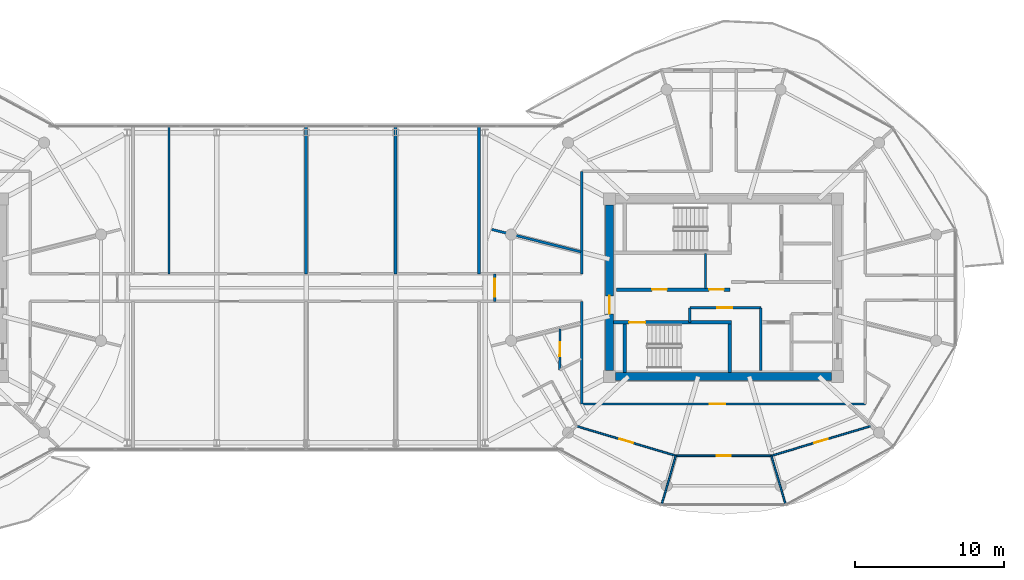
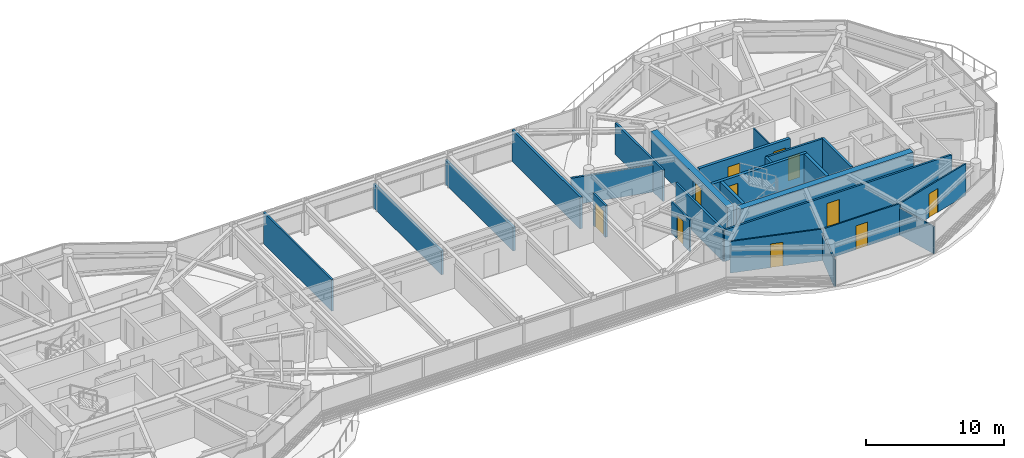
# One storey, part 17 of 23: 25 walls, 11 doors, 11 openings.
"""IFC4 building model written with IfcOpenShell, lengths in metres."""

from ifc_helpers import new_model, si_unit, direction, frame, frame_2d, origin, place, context, subcontext, project, spatial, rectangle, extrude, source, transform, mapped, material, layer, layer_set, type_object, type_shapes, element, fill, save


model = new_model("IFC4")

# Units and contexts
model_context = context("Model", 3, precision=1e-05, world=origin(), true_north=direction((0.0, 1.0)))
body_context = subcontext(model_context, "Body", "Model", "MODEL_VIEW")
ifc_project = project(units=[si_unit("LENGTHUNIT", "METRE"), si_unit("AREAUNIT", "SQUARE_METRE"), si_unit("VOLUMEUNIT", "CUBIC_METRE"), si_unit("PLANEANGLEUNIT", "RADIAN"), si_unit("MASSUNIT", "GRAM", prefix="KILO")], contexts=[model_context])

# Site, building, storey
site_placement = place(None, origin())
site = spatial("IfcSite", under=ifc_project, at=site_placement, CompositionType="ELEMENT")
building_placement = place(site_placement, origin())
building = spatial("IfcBuilding", under=site, at=building_placement, Name="Norrkilde Senior Care Towers", CompositionType="ELEMENT")
storey_placement = place(building_placement, frame((0.0, 0.0, 229.14990234375)))
storey = spatial("IfcBuildingStorey", under=building, at=storey_placement, Name="L71", CompositionType="ELEMENT", Elevation=229.14990234375)

# Wall
ifc_material_1 = material(Name="Concrete C50/60", Category="concrete")
ifc_layer_1 = layer(ifc_material_1, 0.52001953125)
ifc_layer_set_1 = layer_set([ifc_layer_1], Name="Concrete C50/60")
wall_type_1 = type_object("IfcWallType", Name="Core Shear Wall Z4 520", PredefinedType="SHEAR", material=ifc_layer_set_1)
shared_shape_1 = source(origin(), body_context, "Body", "SweptSolid", [
    extrude(rectangle(XDim=14.5, YDim=0.52001953125, at=frame_2d((7.25, 0.0))), origin(), (0.0, 0.0, 1.0), 2.81005859375),
])
wall_1_placement = place(storey_placement, frame((35.25, -5.949951171875, 0.0), z_axis=(0.0, 0.0, 1.0), x_axis=(-1.0, 0.0, 0.0)))
element("IfcWall", 1, at=wall_1_placement, inside=storey, type_object=wall_type_1, Name="L71 Core E South Shear Wall", PredefinedType="SHEAR", context=body_context, shape_type="MappedRepresentation", body=[
    mapped(shared_shape_1, transform((0.0, 0.0, 0.0), x_axis=(1.0, 0.0, 0.0), y_axis=(0.0, 1.0, 0.0), z_axis=(0.0, 0.0, 1.0), scale=1.0)),
])

# Wall, opening, door
shared_shape_2 = source(origin(), body_context, "Body", "SweptSolid", [
    extrude(rectangle(XDim=11.10009765625, YDim=0.52001953125, at=frame_2d((5.550048828125, 0.0))), origin(), (0.0, 0.0, 1.0), 2.81005859375),
])
type_shapes(wall_type_1, [shared_shape_1, shared_shape_2])
wall_2_placement = place(storey_placement, frame((20.35009765625, -5.550048828125, 0.0), z_axis=(0.0, 0.0, 1.0), x_axis=(0.0, 1.0, 0.0)))
wall_2 = element("IfcWall", 2, at=wall_2_placement, inside=storey, type_object=wall_type_1, Name="L71 Core E West Shear Wall", PredefinedType="SHEAR", context=body_context, shape_type="MappedRepresentation", body=[
    mapped(shared_shape_2, transform((0.0, 0.0, 0.0), x_axis=(1.0, 0.0, 0.0), y_axis=(0.0, 1.0, 0.0), z_axis=(0.0, 0.0, 1.0), scale=1.0)),
])
opening_1_placement = place(wall_2_placement, frame((3.800048828125, 0.0, 0.0)))
opening_1 = element("IfcOpeningElement", 3, at=opening_1_placement, cuts=wall_2, Name="Opening D-04", PredefinedType="OPENING", context=body_context, shape_type="SweptSolid", body=[
    extrude(rectangle(XDim=1.199951171875, YDim=2.14990234375, at=frame_2d((0.60009765625, 1.074951171875))), frame((0.0, 0.27001953125, 0.0), z_axis=(0.0, -1.0, 0.0), x_axis=(1.0, 0.0, 0.0)), (0.0, 0.0, 1.0), 0.5400390625),
])
ifc_material_2 = material(Name="Galvanised Painted Steel", Category="steel")
door_type_1 = type_object("IfcDoorType", Name="Firefighting Lobby Fire Door 1200x2150", OperationType="NOTDEFINED", PredefinedType="DOOR", material=ifc_material_2)
shared_shape_3 = source(origin(), body_context, "Body", "SweptSolid", [
    extrude(rectangle(XDim=1.199951171875, YDim=2.14990234375, at=frame_2d((0.60009765625, 1.074951171875))), frame((0.0, 0.02490234375, 0.0), z_axis=(0.0, -1.0, 0.0), x_axis=(1.0, 0.0, 0.0)), (0.0, 0.0, 1.0), 0.050048828125),
])
type_shapes(door_type_1, [shared_shape_3])
door_1_placement = place(opening_1_placement, frame((1.199951171875, 0.0, 0.0), z_axis=(0.0, 0.0, 1.0), x_axis=(-1.0, 0.0, 0.0)))
door_1 = element("IfcDoor", 4, at=door_1_placement, inside=storey, type_object=door_type_1, Name="L71 Core E West Portal Door", OperationType="SINGLE_SWING_LEFT", OverallHeight=2.14990234375, OverallWidth=1.199951171875, PredefinedType="DOOR", context=body_context, shape_type="MappedRepresentation", body=[
    mapped(shared_shape_3, transform((0.0, 0.0, 0.0), x_axis=(1.0, 0.0, 0.0), y_axis=(0.0, 1.0, 0.0), z_axis=(0.0, 0.0, 1.0), scale=1.0)),
])
fill(opening_1, door_1)

# Wall, openings, doors
ifc_material_3 = material(Name="Concrete C45/55", Category="concrete")
ifc_layer_2 = layer(ifc_material_3, 0.239990234375)
ifc_layer_set_2 = layer_set([ifc_layer_2], Name="Concrete C45/55")
wall_type_2 = type_object("IfcWallType", Name="Lift and Plant Rated Enclosure Partition 240", PredefinedType="PARTITIONING", material=ifc_layer_set_2)
shared_shape_4 = source(origin(), body_context, "Body", "SweptSolid", [
    extrude(rectangle(XDim=7.619873046875, YDim=0.239990234375, at=frame_2d((3.81005859375, 0.0))), origin(), (0.0, 0.0, 1.0), 2.795166015625),
])
type_shapes(wall_type_2, [shared_shape_4])
wall_3_placement = place(storey_placement, frame((20.800048828125, -0.1298828125, 0.0), z_axis=(0.0, 0.0, 1.0), x_axis=(1.0, 0.0, 0.0)))
wall_3 = element("IfcWall", 5, at=wall_3_placement, inside=storey, type_object=wall_type_2, Name="WL-INT-L71-E-PKAS", PredefinedType="PARTITIONING", context=body_context, shape_type="MappedRepresentation", body=[
    mapped(shared_shape_4, transform((0.0, 0.0, 0.0), x_axis=(1.0, 0.0, 0.0), y_axis=(0.0, 1.0, 0.0), z_axis=(0.0, 0.0, 1.0), scale=1.0)),
])
opening_2_placement = place(wall_3_placement, frame((6.219970703125, 0.0, 0.0)))
opening_2 = element("IfcOpeningElement", 6, at=opening_2_placement, cuts=wall_3, Name="Opening D-10", PredefinedType="OPENING", context=body_context, shape_type="SweptSolid", body=[
    extrude(rectangle(XDim=1.0, YDim=2.10009765625, at=frame_2d((0.5, 1.050048828125))), frame((0.0, 0.1298828125, 0.0), z_axis=(0.0, -1.0, 0.0), x_axis=(1.0, 0.0, 0.0)), (0.0, 0.0, 1.0), 0.260009765625),
])
opening_3_placement = place(wall_3_placement, frame((2.39990234375, 0.0, 0.0)))
opening_3 = element("IfcOpeningElement", 7, at=opening_3_placement, cuts=wall_3, Name="Opening D-10", PredefinedType="OPENING", context=body_context, shape_type="SweptSolid", body=[
    extrude(rectangle(XDim=1.0, YDim=2.10009765625, at=frame_2d((0.5, 1.050048828125))), frame((0.0, 0.1298828125, 0.0), z_axis=(0.0, -1.0, 0.0), x_axis=(1.0, 0.0, 0.0)), (0.0, 0.0, 1.0), 0.260009765625),
])
door_type_2 = type_object("IfcDoorType", Name="Plant and Riser Rated Door 1000x2100", OperationType="NOTDEFINED", PredefinedType="DOOR", material=ifc_material_2)
shared_shape_5 = source(origin(), body_context, "Body", "SweptSolid", [
    extrude(rectangle(XDim=1.0, YDim=2.10009765625, at=frame_2d((0.5, 1.050048828125))), frame((0.0, 0.02490234375, 0.0), z_axis=(0.0, -1.0, 0.0), x_axis=(1.0, 0.0, 0.0)), (0.0, 0.0, 1.0), 0.050048828125),
])
type_shapes(door_type_2, [shared_shape_5])
door_2_placement = place(opening_2_placement, frame((1.0, 0.0, 0.0), z_axis=(0.0, 0.0, 1.0), x_axis=(-1.0, 0.0, 0.0)))
door_2 = element("IfcDoor", 8, at=door_2_placement, inside=storey, type_object=door_type_2, Name="L71 Electrical Riser E Door", OperationType="SINGLE_SWING_LEFT", OverallHeight=2.10009765625, OverallWidth=1.0, PredefinedType="DOOR", context=body_context, shape_type="MappedRepresentation", body=[
    mapped(shared_shape_5, transform((0.0, 0.0, 0.0), x_axis=(1.0, 0.0, 0.0), y_axis=(0.0, 1.0, 0.0), z_axis=(0.0, 0.0, 1.0), scale=1.0)),
])
fill(opening_2, door_2)
door_3_placement = place(opening_3_placement, frame((1.0, 0.0, 0.0), z_axis=(0.0, 0.0, 1.0), x_axis=(-1.0, 0.0, 0.0)))
door_3 = element("IfcDoor", 9, at=door_3_placement, inside=storey, type_object=door_type_2, Name="L71 Clean Supply Store E Door", OperationType="SINGLE_SWING_LEFT", OverallHeight=2.10009765625, OverallWidth=1.0, PredefinedType="DOOR", context=body_context, shape_type="MappedRepresentation", body=[
    mapped(shared_shape_5, transform((0.0, 0.0, 0.0), x_axis=(1.0, 0.0, 0.0), y_axis=(0.0, 1.0, 0.0), z_axis=(0.0, 0.0, 1.0), scale=1.0)),
])
fill(opening_3, door_3)

# Wall
ifc_material_4 = material(Name="Gypsum Acoustic Board")
ifc_layer_3 = layer(ifc_material_4, 0.114990234375)
ifc_layer_set_3 = layer_set([ifc_layer_3], Name="Gypsum Acoustic Board")
wall_type_3 = type_object("IfcWallType", Name="Internal Room Partition 115", PredefinedType="PARTITIONING", material=ifc_layer_set_3)
shared_shape_6 = source(origin(), body_context, "Body", "SweptSolid", [
    extrude(rectangle(XDim=2.330078125, YDim=0.114990234375, at=frame_2d((1.1650390625, 0.0))), origin(), (0.0, 0.0, 1.0), 2.795166015625),
])
wall_4_placement = place(storey_placement, frame((26.7900390625, -0.050048828125, 0.0), z_axis=(0.0, 0.0, 1.0), x_axis=(0.0, 1.0, 0.0)))
element("IfcWall", 10, at=wall_4_placement, inside=storey, type_object=wall_type_3, Name="WL-INT-L71-E-RISW", PredefinedType="PARTITIONING", context=body_context, shape_type="MappedRepresentation", body=[
    mapped(shared_shape_6, transform((0.0, 0.0, 0.0), x_axis=(1.0, 0.0, 0.0), y_axis=(0.0, 1.0, 0.0), z_axis=(0.0, 0.0, 1.0), scale=1.0)),
])

# Wall, opening, door
ifc_layer_4 = layer(ifc_material_4, 0.1650390625)
ifc_layer_set_4 = layer_set([ifc_layer_4], Name="Gypsum Acoustic Board")
wall_type_4 = type_object("IfcWallType", Name="Corridor Rated Partition 165", PredefinedType="PARTITIONING", material=ifc_layer_set_4)
shared_shape_7 = source(origin(), body_context, "Body", "SweptSolid", [
    extrude(rectangle(XDim=19.0, YDim=0.1650390625, at=frame_2d((9.5, 0.0))), origin(), (0.0, 0.0, 1.0), 2.795166015625),
])
wall_5_placement = place(storey_placement, frame((37.5, -7.800048828125, 0.0), z_axis=(0.0, 0.0, 1.0), x_axis=(-1.0, 0.0, 0.0)))
wall_5 = element("IfcWall", 11, at=wall_5_placement, inside=storey, type_object=wall_type_4, Name="WL-INT-L71-E-CRW-S-0", PredefinedType="PARTITIONING", context=body_context, shape_type="MappedRepresentation", body=[
    mapped(shared_shape_7, transform((0.0, 0.0, 0.0), x_axis=(1.0, 0.0, 0.0), y_axis=(0.0, 1.0, 0.0), z_axis=(0.0, 0.0, 1.0), scale=1.0)),
])
opening_4_placement = place(wall_5_placement, frame((9.39208984375, 0.0, 0.0)))
opening_4 = element("IfcOpeningElement", 12, at=opening_4_placement, cuts=wall_5, Name="Opening D-06", PredefinedType="OPENING", context=body_context, shape_type="SweptSolid", body=[
    extrude(rectangle(XDim=1.050048828125, YDim=2.14990234375, at=frame_2d((0.52490234375, 1.074951171875))), frame((0.0, 0.092529296875, 0.0), z_axis=(0.0, -1.0, 0.0), x_axis=(1.0, 0.0, 0.0)), (0.0, 0.0, 1.0), 0.18505859375),
])
ifc_material_5 = material(Name="Nordic Ash Timber", Category="wood")
door_type_3 = type_object("IfcDoorType", Name="Apartment Entrance Fire Door 1050x2150", OperationType="NOTDEFINED", PredefinedType="DOOR", material=ifc_material_5)
shared_shape_8 = source(origin(), body_context, "Body", "SweptSolid", [
    extrude(rectangle(XDim=1.050048828125, YDim=2.14990234375, at=frame_2d((0.52490234375, 1.074951171875))), frame((0.0, 0.02490234375, 0.0), z_axis=(0.0, -1.0, 0.0), x_axis=(1.0, 0.0, 0.0)), (0.0, 0.0, 1.0), 0.050048828125),
])
type_shapes(door_type_3, [shared_shape_8])
door_4_placement = place(opening_4_placement, frame((1.050048828125, 0.0, 0.0), z_axis=(0.0, 0.0, 1.0), x_axis=(-1.0, 0.0, 0.0)))
door_4 = element("IfcDoor", 13, at=door_4_placement, inside=storey, type_object=door_type_3, Name="Apartment 71D Entrance Door", OperationType="SINGLE_SWING_LEFT", OverallHeight=2.14990234375, OverallWidth=1.050048828125, PredefinedType="DOOR", context=body_context, shape_type="MappedRepresentation", body=[
    mapped(shared_shape_8, transform((0.0, 0.0, 0.0), x_axis=(1.0, 0.0, 0.0), y_axis=(0.0, 1.0, 0.0), z_axis=(0.0, 0.0, 1.0), scale=1.0)),
])
fill(opening_4, door_4)

# Walls
shared_shape_9 = source(origin(), body_context, "Body", "SweptSolid", [
    extrude(rectangle(XDim=6.880126953125, YDim=0.1650390625, at=frame_2d((3.43994140625, 0.0))), origin(), (0.0, 0.0, 1.0), 2.795166015625),
])
for number, where, z_axis, x_axis, name in (
    (14, (18.5, -7.800048828125, 0.0), (0.0, 0.0, 1.0), (0.0, 1.0, 0.0), "WL-INT-L71-E-CRW-W-0"),
    (15, (18.5, 0.919921875, 0.0), (0.0, 0.0, 1.0), (0.0, 1.0, 0.0), "WL-INT-L71-E-CRW-W-1"),
):
    element("IfcWall", number, at=place(storey_placement, frame(where, z_axis=z_axis, x_axis=x_axis)), inside=storey, type_object=wall_type_4, Name=name, PredefinedType="PARTITIONING", context=body_context, shape_type="MappedRepresentation", body=[
        mapped(shared_shape_9, transform((0.0, 0.0, 0.0), x_axis=(1.0, 0.0, 0.0), y_axis=(0.0, 1.0, 0.0), z_axis=(0.0, 0.0, 1.0), scale=1.0)),
    ])
ifc_layer_5 = layer(ifc_material_3, 0.179931640625)
ifc_layer_set_5 = layer_set([ifc_layer_5], Name="Concrete C45/55")
wall_type_5 = type_object("IfcWallType", Name="Hoistway Division Rated Partition 180", PredefinedType="PARTITIONING", material=ifc_layer_set_5)
shared_shape_10 = source(origin(), body_context, "Body", "SweptSolid", [
    extrude(rectangle(XDim=4.199951171875, YDim=0.179931640625, at=frame_2d((2.10009765625, 0.0))), origin(), (0.0, 0.0, 1.0), 2.795166015625),
])
type_shapes(wall_type_5, [shared_shape_10])
wall_6_placement = place(storey_placement, frame((30.5, -5.550048828125, 0.0), z_axis=(0.0, 0.0, 1.0), x_axis=(0.0, 1.0, 0.0)))
element("IfcWall", 16, at=wall_6_placement, inside=storey, type_object=wall_type_5, Name="WL-INT-L71-E-PL4W", PredefinedType="PARTITIONING", context=body_context, shape_type="MappedRepresentation", body=[
    mapped(shared_shape_10, transform((0.0, 0.0, 0.0), x_axis=(1.0, 0.0, 0.0), y_axis=(0.0, 1.0, 0.0), z_axis=(0.0, 0.0, 1.0), scale=1.0)),
])

# Wall, opening, door
shared_shape_11 = source(origin(), body_context, "Body", "SweptSolid", [
    extrude(rectangle(XDim=4.77001953125, YDim=0.1650390625, at=frame_2d((2.385009765625, 0.0))), origin(), (0.0, 0.0, 1.0), 2.795166015625),
])
wall_7_placement = place(storey_placement, frame((25.72998046875, -1.35009765625, 0.0), z_axis=(0.0, 0.0, 1.0), x_axis=(1.0, 0.0, 0.0)))
wall_7 = element("IfcWall", 17, at=wall_7_placement, inside=storey, type_object=wall_type_4, Name="WL-INT-L71-E-FR2N", PredefinedType="PARTITIONING", context=body_context, shape_type="MappedRepresentation", body=[
    mapped(shared_shape_11, transform((0.0, 0.0, 0.0), x_axis=(1.0, 0.0, 0.0), y_axis=(0.0, 1.0, 0.0), z_axis=(0.0, 0.0, 1.0), scale=1.0)),
])
opening_5_placement = place(wall_7_placement, frame((1.85009765625, 0.0, 0.0)))
opening_5 = element("IfcOpeningElement", 18, at=opening_5_placement, cuts=wall_7, Name="Opening D-10", PredefinedType="OPENING", context=body_context, shape_type="SweptSolid", body=[
    extrude(rectangle(XDim=1.0, YDim=2.10009765625, at=frame_2d((0.5, 1.050048828125))), frame((0.0, 0.092529296875, 0.0), z_axis=(0.0, -1.0, 0.0), x_axis=(1.0, 0.0, 0.0)), (0.0, 0.0, 1.0), 0.18505859375),
])
door_5_placement = place(opening_5_placement, origin())
door_5 = element("IfcDoor", 19, at=door_5_placement, inside=storey, type_object=door_type_2, Name="L71 Core Pantry E Door", OperationType="SINGLE_SWING_RIGHT", OverallHeight=2.10009765625, OverallWidth=1.0, PredefinedType="DOOR", context=body_context, shape_type="MappedRepresentation", body=[
    mapped(shared_shape_5, transform((0.0, 0.0, 0.0), x_axis=(1.0, 0.0, 0.0), y_axis=(0.0, 1.0, 0.0), z_axis=(0.0, 0.0, 1.0), scale=1.0)),
])
fill(opening_5, door_5)

# Wall
shared_shape_12 = source(origin(), body_context, "Body", "SweptSolid", [
    extrude(rectangle(XDim=0.97998046875, YDim=0.1650390625, at=frame_2d((0.489990234375, 0.0))), origin(), (0.0, 0.0, 1.0), 2.795166015625),
])
wall_8_placement = place(storey_placement, frame((25.72998046875, -2.330078125, 0.0), z_axis=(0.0, 0.0, 1.0), x_axis=(0.0, 1.0, 0.0)))
element("IfcWall", 20, at=wall_8_placement, inside=storey, type_object=wall_type_4, Name="WL-INT-L71-E-FR2W", PredefinedType="PARTITIONING", context=body_context, shape_type="MappedRepresentation", body=[
    mapped(shared_shape_12, transform((0.0, 0.0, 0.0), x_axis=(1.0, 0.0, 0.0), y_axis=(0.0, 1.0, 0.0), z_axis=(0.0, 0.0, 1.0), scale=1.0)),
])

# Wall, opening, door
ifc_layer_6 = layer(ifc_material_3, 0.239990234375)
ifc_layer_set_6 = layer_set([ifc_layer_6], Name="Concrete C45/55")
wall_type_6 = type_object("IfcWallType", Name="Shaft and Stair Enclosure Wall 240", PredefinedType="PARTITIONING", material=ifc_layer_set_6)
shared_shape_13 = source(origin(), body_context, "Body", "SweptSolid", [
    extrude(rectangle(XDim=7.929931640625, YDim=0.239990234375, at=frame_2d((3.96484375, 0.0))), origin(), (0.0, 0.0, 1.0), 2.81005859375),
])
wall_9_placement = place(storey_placement, frame((20.610107421875, -2.330078125, 0.0), z_axis=(0.0, 0.0, 1.0), x_axis=(1.0, 0.0, 0.0)))
wall_9 = element("IfcWall", 21, at=wall_9_placement, inside=storey, type_object=wall_type_6, Name="WL-INT-L71-E-ST2N", PredefinedType="PARTITIONING", context=body_context, shape_type="MappedRepresentation", body=[
    mapped(shared_shape_13, transform((0.0, 0.0, 0.0), x_axis=(1.0, 0.0, 0.0), y_axis=(0.0, 1.0, 0.0), z_axis=(0.0, 0.0, 1.0), scale=1.0)),
])
opening_6_placement = place(wall_9_placement, frame((1.050048828125, 0.0, 0.0)))
opening_6 = element("IfcOpeningElement", 22, at=opening_6_placement, cuts=wall_9, Name="Opening D-03", PredefinedType="OPENING", context=body_context, shape_type="SweptSolid", body=[
    extrude(rectangle(XDim=1.10009765625, YDim=2.14990234375, at=frame_2d((0.550048828125, 1.074951171875))), frame((0.0, 0.1298828125, 0.0), z_axis=(0.0, -1.0, 0.0), x_axis=(1.0, 0.0, 0.0)), (0.0, 0.0, 1.0), 0.260009765625),
])
door_type_4 = type_object("IfcDoorType", Name="Stairwell Protected Fire Door 1100x2150", OperationType="NOTDEFINED", PredefinedType="DOOR", material=ifc_material_2)
shared_shape_14 = source(origin(), body_context, "Body", "SweptSolid", [
    extrude(rectangle(XDim=1.10009765625, YDim=2.14990234375, at=frame_2d((0.550048828125, 1.074951171875))), frame((0.0, 0.02490234375, 0.0), z_axis=(0.0, -1.0, 0.0), x_axis=(1.0, 0.0, 0.0)), (0.0, 0.0, 1.0), 0.050048828125),
])
type_shapes(door_type_4, [shared_shape_14])
door_6_placement = place(opening_6_placement, frame((1.10009765625, 0.0, 0.0), z_axis=(0.0, 0.0, 1.0), x_axis=(-1.0, 0.0, 0.0)))
door_6 = element("IfcDoor", 23, at=door_6_placement, inside=storey, type_object=door_type_4, Name="L71 Stair E2 Fire Door", OperationType="SINGLE_SWING_RIGHT", OverallHeight=2.14990234375, OverallWidth=1.10009765625, PredefinedType="DOOR", context=body_context, shape_type="MappedRepresentation", body=[
    mapped(shared_shape_14, transform((0.0, 0.0, 0.0), x_axis=(1.0, 0.0, 0.0), y_axis=(0.0, 1.0, 0.0), z_axis=(0.0, 0.0, 1.0), scale=1.0)),
])
fill(opening_6, door_6)

# Walls
shared_shape_15 = source(origin(), body_context, "Body", "SweptSolid", [
    extrude(rectangle(XDim=3.239990234375, YDim=0.239990234375, at=frame_2d((1.6201171875, 0.0))), origin(), (0.0, 0.0, 1.0), 2.81005859375),
])
type_shapes(wall_type_6, [shared_shape_13, shared_shape_15])
for number, where, z_axis, x_axis, name in (
    (24, (21.3798828125, -5.68994140625, 0.0), (0.0, 0.0, 1.0), (0.0, 1.0, 0.0), "WL-INT-L71-E-ST2W"),
    (25, (28.419921875, -5.68994140625, 0.0), (0.0, 0.0, 1.0), (0.0, 1.0, 0.0), "WL-INT-L71-E-ST2E"),
):
    element("IfcWall", number, at=place(storey_placement, frame(where, z_axis=z_axis, x_axis=x_axis)), inside=storey, type_object=wall_type_6, Name=name, PredefinedType="PARTITIONING", context=body_context, shape_type="MappedRepresentation", body=[
        mapped(shared_shape_15, transform((0.0, 0.0, 0.0), x_axis=(1.0, 0.0, 0.0), y_axis=(0.0, 1.0, 0.0), z_axis=(0.0, 0.0, 1.0), scale=1.0)),
    ])
shared_shape_16 = source(origin(), body_context, "Body", "SweptSolid", [
    extrude(rectangle(XDim=6.1572265625, YDim=0.1650390625, at=frame_2d((3.07861328125, 0.0))), origin(), (0.0, 0.0, 1.0), 2.39501953125),
])
wall_10_placement = place(storey_placement, frame((18.419921875, 2.407470703125, 0.0), z_axis=(0.0, 0.0, 1.0), x_axis=(-0.969840867184, 0.243738984038, 0.0)))
element("IfcWall", 26, at=wall_10_placement, inside=storey, type_object=wall_type_4, Name="WL-INT-L71-E-DEM-05-0", PredefinedType="PARTITIONING", context=body_context, shape_type="MappedRepresentation", body=[
    mapped(shared_shape_16, transform((0.0, 0.0, 0.0), x_axis=(1.0, 0.0, 0.0), y_axis=(0.0, 1.0, 0.0), z_axis=(0.0, 0.0, 1.0), scale=1.0)),
])

# Wall, opening, door
shared_shape_17 = source(origin(), body_context, "Body", "SweptSolid", [
    extrude(rectangle(XDim=6.935791015625, YDim=0.114990234375, at=frame_2d((3.4677734375, 0.0))), origin(), (0.0, 0.0, 1.0), 2.795166015625),
])
wall_11_placement = place(storey_placement, frame((18.1513671875, -9.287109375, 0.0), z_axis=(0.0, 0.0, 1.0), x_axis=(0.958186895835, -0.286143098205, 0.0)))
wall_11 = element("IfcWall", 27, at=wall_11_placement, inside=storey, type_object=wall_type_3, Name="WL-INT-L71-E-UBC-06-1", PredefinedType="PARTITIONING", context=body_context, shape_type="MappedRepresentation", body=[
    mapped(shared_shape_17, transform((0.0, 0.0, 0.0), x_axis=(1.0, 0.0, 0.0), y_axis=(0.0, 1.0, 0.0), z_axis=(0.0, 0.0, 1.0), scale=1.0)),
])
opening_7_placement = place(wall_11_placement, frame((2.992919921875, 0.0, 0.0)))
opening_7 = element("IfcOpeningElement", 28, at=opening_7_placement, cuts=wall_11, Name="Opening D-07", PredefinedType="OPENING", context=body_context, shape_type="SweptSolid", body=[
    extrude(rectangle(XDim=0.949951171875, YDim=2.10009765625, at=frame_2d((0.47509765625, 1.050048828125))), frame((0.0, 0.0673828125, 0.0), z_axis=(0.0, -1.0, 0.0), x_axis=(1.0, 0.0, 0.0)), (0.0, 0.0, 1.0), 0.135009765625),
])
door_type_5 = type_object("IfcDoorType", Name="Internal Suite Bedroom Door 950x2100", OperationType="NOTDEFINED", PredefinedType="DOOR", material=ifc_material_5)
shared_shape_18 = source(origin(), body_context, "Body", "SweptSolid", [
    extrude(rectangle(XDim=0.949951171875, YDim=2.10009765625, at=frame_2d((0.47509765625, 1.050048828125))), frame((0.0, 0.02490234375, 0.0), z_axis=(0.0, -1.0, 0.0), x_axis=(1.0, 0.0, 0.0)), (0.0, 0.0, 1.0), 0.050048828125),
])
type_shapes(door_type_5, [shared_shape_18])
door_7_placement = place(opening_7_placement, origin())
door_7 = element("IfcDoor", 29, at=door_7_placement, inside=storey, type_object=door_type_5, Name="Apartment 71D Bedroom 1 Door", OperationType="SINGLE_SWING_RIGHT", OverallHeight=2.10009765625, OverallWidth=0.949951171875, PredefinedType="DOOR", context=body_context, shape_type="MappedRepresentation", body=[
    mapped(shared_shape_18, transform((0.0, 0.0, 0.0), x_axis=(1.0, 0.0, 0.0), y_axis=(0.0, 1.0, 0.0), z_axis=(0.0, 0.0, 1.0), scale=1.0)),
])
fill(opening_7, door_7)

wall_12_placement = place(storey_placement, frame((31.202880859375, -11.271728515625, 0.0), z_axis=(0.0, 0.0, 1.0), x_axis=(0.958186895835, 0.286143098205, 0.0)))
wall_12 = element("IfcWall", 30, at=wall_12_placement, inside=storey, type_object=wall_type_3, Name="WL-INT-L71-E-UBC-06-3", PredefinedType="PARTITIONING", context=body_context, shape_type="MappedRepresentation", body=[
    mapped(shared_shape_17, transform((0.0, 0.0, 0.0), x_axis=(1.0, 0.0, 0.0), y_axis=(0.0, 1.0, 0.0), z_axis=(0.0, 0.0, 1.0), scale=1.0)),
])
opening_8_placement = place(wall_12_placement, frame((2.992919921875, 0.0, 0.0)))
opening_8 = element("IfcOpeningElement", 31, at=opening_8_placement, cuts=wall_12, Name="Opening D-07", PredefinedType="OPENING", context=body_context, shape_type="SweptSolid", body=[
    extrude(rectangle(XDim=0.949951171875, YDim=2.10009765625, at=frame_2d((0.47509765625, 1.050048828125))), frame((0.0, 0.0673828125, 0.0), z_axis=(0.0, -1.0, 0.0), x_axis=(1.0, 0.0, 0.0)), (0.0, 0.0, 1.0), 0.135009765625),
])
door_8_placement = place(opening_8_placement, origin())
door_8 = element("IfcDoor", 32, at=door_8_placement, inside=storey, type_object=door_type_5, Name="Apartment 71D Bedroom 3 Door", OperationType="SINGLE_SWING_RIGHT", OverallHeight=2.10009765625, OverallWidth=0.949951171875, PredefinedType="DOOR", context=body_context, shape_type="MappedRepresentation", body=[
    mapped(shared_shape_18, transform((0.0, 0.0, 0.0), x_axis=(1.0, 0.0, 0.0), y_axis=(0.0, 1.0, 0.0), z_axis=(0.0, 0.0, 1.0), scale=1.0)),
])
fill(opening_8, door_8)

shared_shape_19 = source(origin(), body_context, "Body", "SweptSolid", [
    extrude(rectangle(XDim=6.404296875, YDim=0.114990234375, at=frame_2d((3.2021484375, 0.0))), origin(), (0.0, 0.0, 1.0), 2.795166015625),
])
wall_13_placement = place(storey_placement, frame((24.7978515625, -11.26904296875, 0.0), z_axis=(0.0, 0.0, 1.0), x_axis=(1.0, 0.0, 0.0)))
wall_13 = element("IfcWall", 33, at=wall_13_placement, inside=storey, type_object=wall_type_3, Name="WL-INT-L71-E-UBC-06-2", PredefinedType="PARTITIONING", context=body_context, shape_type="MappedRepresentation", body=[
    mapped(shared_shape_19, transform((0.0, 0.0, 0.0), x_axis=(1.0, 0.0, 0.0), y_axis=(0.0, 1.0, 0.0), z_axis=(0.0, 0.0, 1.0), scale=1.0)),
])
opening_9_placement = place(wall_13_placement, frame((2.72705078125, 0.0, 0.0)))
opening_9 = element("IfcOpeningElement", 34, at=opening_9_placement, cuts=wall_13, Name="Opening D-07", PredefinedType="OPENING", context=body_context, shape_type="SweptSolid", body=[
    extrude(rectangle(XDim=0.949951171875, YDim=2.10009765625, at=frame_2d((0.47509765625, 1.050048828125))), frame((0.0, 0.0673828125, 0.0), z_axis=(0.0, -1.0, 0.0), x_axis=(1.0, 0.0, 0.0)), (0.0, 0.0, 1.0), 0.135009765625),
])
door_9_placement = place(opening_9_placement, frame((0.949951171875, 0.0, 0.0), z_axis=(0.0, 0.0, 1.0), x_axis=(-1.0, 0.0, 0.0)))
door_9 = element("IfcDoor", 35, at=door_9_placement, inside=storey, type_object=door_type_5, Name="Apartment 71D Bedroom 2 Door", OperationType="SINGLE_SWING_LEFT", OverallHeight=2.10009765625, OverallWidth=0.949951171875, PredefinedType="DOOR", context=body_context, shape_type="MappedRepresentation", body=[
    mapped(shared_shape_18, transform((0.0, 0.0, 0.0), x_axis=(1.0, 0.0, 0.0), y_axis=(0.0, 1.0, 0.0), z_axis=(0.0, 0.0, 1.0), scale=1.0)),
])
fill(opening_9, door_9)

# Walls
shared_shape_20 = source(origin(), body_context, "Body", "SweptSolid", [
    extrude(rectangle(XDim=3.453857421875, YDim=0.114990234375, at=frame_2d((1.72705078125, 0.0))), origin(), (0.0, 0.0, 1.0), 2.39501953125),
])
wall_14_placement = place(storey_placement, frame((24.7978515625, -11.26904296875, 0.0), z_axis=(0.0, 0.0, 1.0), x_axis=(-0.279348499358, -0.960189781193, 0.0)))
element("IfcWall", 36, at=wall_14_placement, inside=storey, type_object=wall_type_3, Name="WL-INT-L71-E-UBR-06-2", PredefinedType="PARTITIONING", context=body_context, shape_type="MappedRepresentation", body=[
    mapped(shared_shape_20, transform((0.0, 0.0, 0.0), x_axis=(1.0, 0.0, 0.0), y_axis=(0.0, 1.0, 0.0), z_axis=(0.0, 0.0, 1.0), scale=1.0)),
])
shared_shape_21 = source(origin(), body_context, "Body", "SweptSolid", [
    extrude(rectangle(XDim=3.451171875, YDim=0.114990234375, at=frame_2d((1.7255859375, 0.0))), origin(), (0.0, 0.0, 1.0), 2.39501953125),
])
type_shapes(wall_type_3, [shared_shape_6, shared_shape_17, shared_shape_19, shared_shape_20, shared_shape_21])
wall_15_placement = place(storey_placement, frame((31.202880859375, -11.271728515625, 0.0), z_axis=(0.0, 0.0, 1.0), x_axis=(0.279361559083, -0.960185981624, 0.0)))
element("IfcWall", 37, at=wall_15_placement, inside=storey, type_object=wall_type_3, Name="WL-INT-L71-E-UBR-06-3", PredefinedType="PARTITIONING", context=body_context, shape_type="MappedRepresentation", body=[
    mapped(shared_shape_21, transform((0.0, 0.0, 0.0), x_axis=(1.0, 0.0, 0.0), y_axis=(0.0, 1.0, 0.0), z_axis=(0.0, 0.0, 1.0), scale=1.0)),
])

# Wall, opening, door
ifc_layer_7 = layer(ifc_material_4, 0.139892578125)
ifc_layer_set_7 = layer_set([ifc_layer_7], Name="Gypsum Acoustic Board")
wall_type_7 = type_object("IfcWallType", Name="En-suite Wet Room Wall 140", PredefinedType="PARTITIONING", material=ifc_layer_set_7)
shared_shape_22 = source(origin(), body_context, "Body", "SweptSolid", [
    extrude(rectangle(XDim=2.7587890625, YDim=0.139892578125, at=frame_2d((1.37939453125, 0.0))), origin(), (0.0, 0.0, 1.0), 2.795166015625),
])
wall_16_placement = place(storey_placement, frame((17.00537109375, -5.5126953125, 0.0), z_axis=(0.0, 0.0, 1.0), x_axis=(0.01194710728, 0.999928630767, 0.0)))
wall_16 = element("IfcWall", 38, at=wall_16_placement, inside=storey, type_object=wall_type_7, Name="WL-INT-L71-E-UBTF-06", PredefinedType="PARTITIONING", context=body_context, shape_type="MappedRepresentation", body=[
    mapped(shared_shape_22, transform((0.0, 0.0, 0.0), x_axis=(1.0, 0.0, 0.0), y_axis=(0.0, 1.0, 0.0), z_axis=(0.0, 0.0, 1.0), scale=1.0)),
])
opening_10_placement = place(wall_16_placement, frame((0.91943359375, 0.0, 0.0)))
opening_10 = element("IfcOpeningElement", 39, at=opening_10_placement, cuts=wall_16, Name="Opening D-08", PredefinedType="OPENING", context=body_context, shape_type="SweptSolid", body=[
    extrude(rectangle(XDim=0.919921875, YDim=2.10009765625, at=frame_2d((0.4599609375, 1.050048828125))), frame((0.0, 0.079833984375, 0.0), z_axis=(0.0, -1.0, 0.0), x_axis=(1.0, 0.0, 0.0)), (0.0, 0.0, 1.0), 0.159912109375),
])
door_type_6 = type_object("IfcDoorType", Name="Accessible Wet Room Door 920x2100", OperationType="NOTDEFINED", PredefinedType="DOOR", material=ifc_material_5)
shared_shape_23 = source(origin(), body_context, "Body", "SweptSolid", [
    extrude(rectangle(XDim=0.919921875, YDim=2.10009765625, at=frame_2d((0.4599609375, 1.050048828125))), frame((0.0, 0.02490234375, 0.0), z_axis=(0.0, -1.0, 0.0), x_axis=(1.0, 0.0, 0.0)), (0.0, 0.0, 1.0), 0.050048828125),
])
type_shapes(door_type_6, [shared_shape_23])
door_10_placement = place(opening_10_placement, origin())
door_10 = element("IfcDoor", 40, at=door_10_placement, inside=storey, type_object=door_type_6, Name="Apartment 71D Bathroom Door", OperationType="SINGLE_SWING_RIGHT", OverallHeight=2.10009765625, OverallWidth=0.919921875, PredefinedType="DOOR", context=body_context, shape_type="MappedRepresentation", body=[
    mapped(shared_shape_23, transform((0.0, 0.0, 0.0), x_axis=(1.0, 0.0, 0.0), y_axis=(0.0, 1.0, 0.0), z_axis=(0.0, 0.0, 1.0), scale=1.0)),
])
fill(opening_10, door_10)

shared_shape_24 = source(origin(), body_context, "Body", "SweptSolid", [
    extrude(rectangle(XDim=1.83984375, YDim=0.1650390625, at=frame_2d((0.919921875, 0.0))), origin(), (0.0, 0.0, 1.0), 2.795166015625),
])
type_shapes(wall_type_4, [shared_shape_7, shared_shape_9, shared_shape_11, shared_shape_12, shared_shape_16, shared_shape_24])
wall_17_placement = place(storey_placement, frame((12.64990234375, -0.919921875, 0.0), z_axis=(0.0, 0.0, 1.0), x_axis=(0.0, 1.0, 0.0)))
wall_17 = element("IfcWall", 41, at=wall_17_placement, inside=storey, type_object=wall_type_4, Name="WL-INT-L71-BR-GE", PredefinedType="PARTITIONING", context=body_context, shape_type="MappedRepresentation", body=[
    mapped(shared_shape_24, transform((0.0, 0.0, 0.0), x_axis=(1.0, 0.0, 0.0), y_axis=(0.0, 1.0, 0.0), z_axis=(0.0, 0.0, 1.0), scale=1.0)),
])
opening_11_placement = place(wall_17_placement, frame((0.320068359375, 0.0, 0.0)))
opening_11 = element("IfcOpeningElement", 42, at=opening_11_placement, cuts=wall_17, Name="Opening D-04", PredefinedType="OPENING", context=body_context, shape_type="SweptSolid", body=[
    extrude(rectangle(XDim=1.199951171875, YDim=2.14990234375, at=frame_2d((0.60009765625, 1.074951171875))), frame((0.0, 0.092529296875, 0.0), z_axis=(0.0, -1.0, 0.0), x_axis=(1.0, 0.0, 0.0)), (0.0, 0.0, 1.0), 0.18505859375),
])
door_11_placement = place(opening_11_placement, origin())
door_11 = element("IfcDoor", 43, at=door_11_placement, inside=storey, type_object=door_type_1, Name="L71 Sky-Gate Bridge GE Fire Door", OperationType="SINGLE_SWING_RIGHT", OverallHeight=2.14990234375, OverallWidth=1.199951171875, PredefinedType="DOOR", context=body_context, shape_type="MappedRepresentation", body=[
    mapped(shared_shape_3, transform((0.0, 0.0, 0.0), x_axis=(1.0, 0.0, 0.0), y_axis=(0.0, 1.0, 0.0), z_axis=(0.0, 0.0, 1.0), scale=1.0)),
])
fill(opening_11, door_11)

# Walls
ifc_layer_8 = layer(ifc_material_4, 0.18994140625)
ifc_layer_set_8 = layer_set([ifc_layer_8], Name="Gypsum Acoustic Board")
wall_type_8 = type_object("IfcWallType", Name="Unit Demising Acoustic Wall 190", PredefinedType="PARTITIONING", material=ifc_layer_set_8)
shared_shape_25 = source(origin(), body_context, "Body", "SweptSolid", [
    extrude(rectangle(XDim=9.880126953125, YDim=0.18994140625, at=frame_2d((4.93994140625, 0.0))), origin(), (0.0, 0.0, 1.0), 2.795166015625),
])
wall_18_placement = place(storey_placement, frame((11.60009765625, 0.919921875, 0.0), z_axis=(0.0, 0.0, 1.0), x_axis=(0.0, 1.0, 0.0)))
element("IfcWall", 44, at=wall_18_placement, inside=storey, type_object=wall_type_8, Name="WL-INT-L71-BR-EN+12", PredefinedType="PARTITIONING", context=body_context, shape_type="MappedRepresentation", body=[
    mapped(shared_shape_25, transform((0.0, 0.0, 0.0), x_axis=(1.0, 0.0, 0.0), y_axis=(0.0, 1.0, 0.0), z_axis=(0.0, 0.0, 1.0), scale=1.0)),
])
shared_shape_26 = source(origin(), body_context, "Body", "SweptSolid", [
    extrude(rectangle(XDim=9.880126953125, YDim=0.18994140625, at=frame_2d((4.93994140625, 0.0))), origin(), (0.0, 0.0, 1.0), 2.09521484375),
])
type_shapes(wall_type_8, [shared_shape_25, shared_shape_26])
for number, where, z_axis, x_axis, name in (
    (45, (0.0, 0.919921875, 0.0), (0.0, 0.0, 1.0), (0.0, 1.0, 0.0), "WL-INT-L71-BR-VN1"),
    (46, (6.0, 0.919921875, 0.0), (0.0, 0.0, 1.0), (0.0, 1.0, 0.0), "WL-INT-L71-BR-VN2"),
):
    element("IfcWall", number, at=place(storey_placement, frame(where, z_axis=z_axis, x_axis=x_axis)), inside=storey, type_object=wall_type_8, Name=name, PredefinedType="PARTITIONING", context=body_context, shape_type="MappedRepresentation", body=[
        mapped(shared_shape_26, transform((0.0, 0.0, 0.0), x_axis=(1.0, 0.0, 0.0), y_axis=(0.0, 1.0, 0.0), z_axis=(0.0, 0.0, 1.0), scale=1.0)),
    ])
shared_shape_27 = source(origin(), body_context, "Body", "SweptSolid", [
    extrude(rectangle(XDim=9.880126953125, YDim=0.139892578125, at=frame_2d((4.93994140625, 0.0))), origin(), (0.0, 0.0, 1.0), 2.795166015625),
])
type_shapes(wall_type_7, [shared_shape_22, shared_shape_27])
wall_19_placement = place(storey_placement, frame((-9.199951171875, 0.919921875, 0.0), z_axis=(0.0, 0.0, 1.0), x_axis=(0.0, 1.0, 0.0)))
element("IfcWall", 47, at=wall_19_placement, inside=storey, type_object=wall_type_7, Name="WL-INT-L71-BR-NWCV", PredefinedType="PARTITIONING", context=body_context, shape_type="MappedRepresentation", body=[
    mapped(shared_shape_27, transform((0.0, 0.0, 0.0), x_axis=(1.0, 0.0, 0.0), y_axis=(0.0, 1.0, 0.0), z_axis=(0.0, 0.0, 1.0), scale=1.0)),
])

save(model, "model.ifc")
